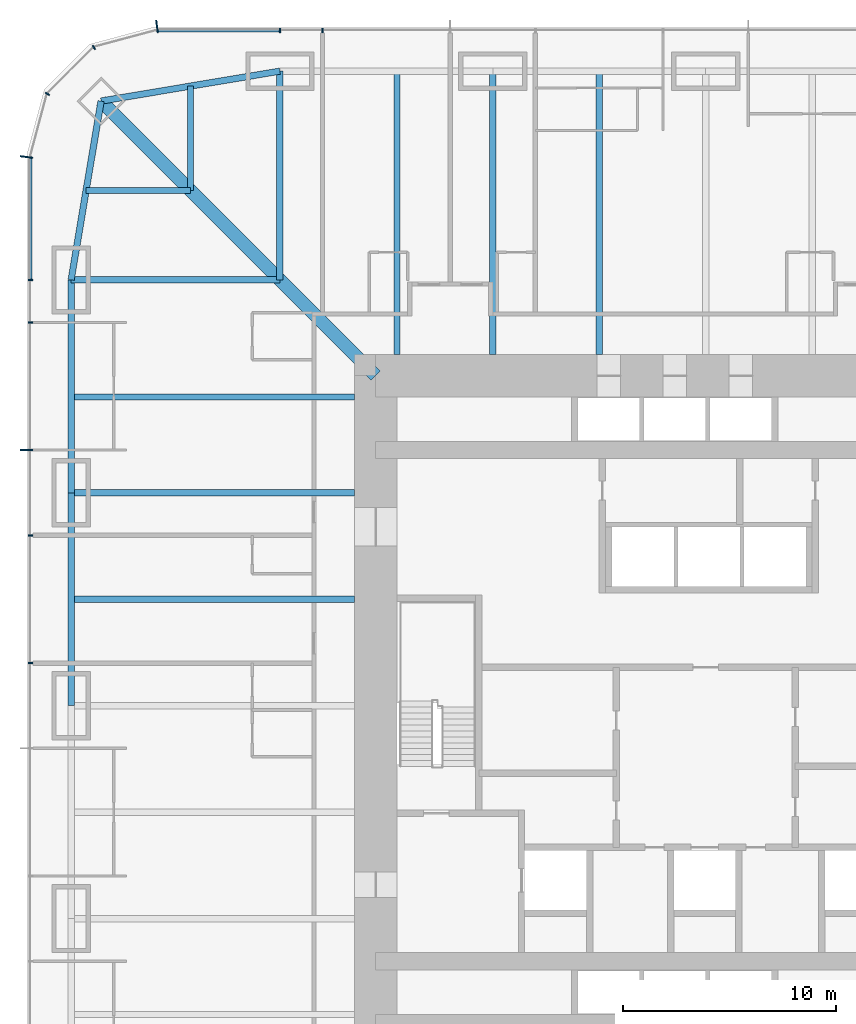
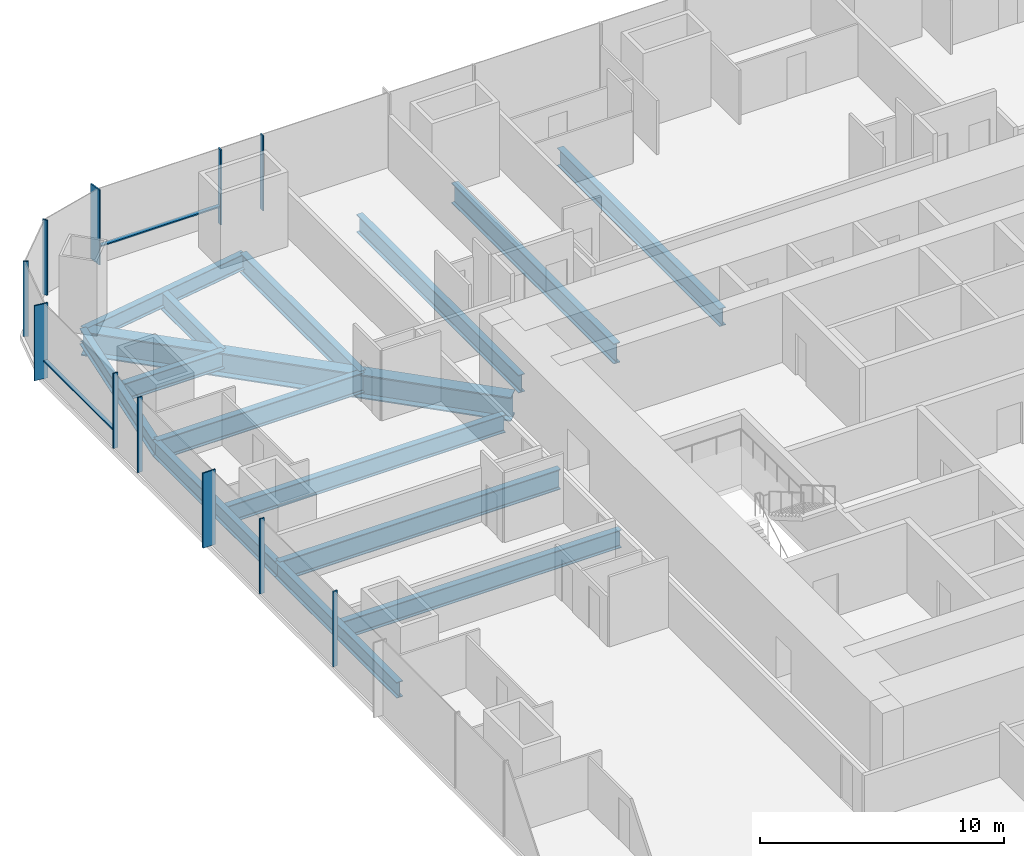
# One storey, part 6 of 17: 15 beams, 13 members, 3 elements without a shape of their own.
"""IFC4 building model written with IfcOpenShell, lengths in metres."""

import ifcopenshell
import ifcopenshell.guid

model = None  # the IFC model being written
_history = None  # IfcOwnerHistory: only IFC2X3 demands one
_inside = {}  # id of a spatial element -> (the spatial element, [elements in it])
_under = {}  # id of a project, library or spatial element -> (it, [spatial elements below it])
_declared = {}  # id of a project -> (the project, [libraries it declares])
_typed = {}  # id of a type object -> (the type object, [elements of that type])
_made_of = {}  # id of a material, layer set ... -> (it, [elements and type objects made of it])


def new_model(schema):
    """Start an empty IFC model of exactly this schema.

    Asked for "IFC4X3", IfcOpenShell would pick the latest addendum, in which some entities
    have other attributes; the version numbers below select the first issue.
    IFC2X3 requires an IfcOwnerHistory on every rooted entity: one is made here for all.
    """
    global model, _history
    if schema == "IFC4X3":
        model = ifcopenshell.file(schema_version=(4, 3, 0, 0))
    else:
        model = ifcopenshell.file(schema=schema)
    _inside.clear()
    _under.clear()
    _declared.clear()
    _typed.clear()
    _made_of.clear()
    _history = None
    if model.schema == "IFC2X3":
        org = make("IfcOrganization", Name="unknown")
        user = make(
            "IfcPersonAndOrganization",
            ThePerson=make("IfcPerson", FamilyName="unknown"),
            TheOrganization=org,
        )
        app = make(
            "IfcApplication",
            ApplicationDeveloper=org,
            Version="unknown",
            ApplicationFullName="unknown",
            ApplicationIdentifier="unknown",
        )
        _history = make(
            "IfcOwnerHistory",
            OwningUser=user,
            OwningApplication=app,
            ChangeAction="ADDED",
            CreationDate=0,
        )
    return model


def make(cls, **values):
    """One entity of the class cls with the attributes given. An attribute that is None is left unset."""
    return model.create_entity(
        cls, **{name: value for name, value in values.items() if value is not None}
    )


def rooted(cls, **values):
    """An entity with a GlobalId (a new one), such as an element, a storey or a relation."""
    return make(cls, GlobalId=ifcopenshell.guid.new(), OwnerHistory=_history, **values)


def si_unit(unit_type, name, prefix=None):
    """IfcSIUnit, for example si_unit("LENGTHUNIT", "METRE", prefix="MILLI")."""
    return make("IfcSIUnit", UnitType=unit_type, Prefix=prefix, Name=name)


def assignment(units):
    """IfcUnitAssignment: the units of a project."""
    return None if units is None else make("IfcUnitAssignment", Units=units)


def point(xyz):
    """IfcCartesianPoint."""
    return None if xyz is None else make("IfcCartesianPoint", Coordinates=xyz)


def direction(xyz):
    """IfcDirection."""
    return None if xyz is None else make("IfcDirection", DirectionRatios=xyz)


def frame(location, z_axis=None, x_axis=None):
    """IfcAxis2Placement3D, a coordinate frame: its origin and axes. An axis left out is left unset."""
    return make(
        "IfcAxis2Placement3D",
        Location=point(location),
        Axis=direction(z_axis),
        RefDirection=direction(x_axis),
    )


def frame_2d(location, x_axis=None):
    """IfcAxis2Placement2D, a coordinate frame in the plane: its origin and x axis."""
    return make(
        "IfcAxis2Placement2D", Location=point(location), RefDirection=direction(x_axis)
    )


def origin():
    """The frame at (0, 0, 0) with its axes left unset."""
    return frame((0.0, 0.0, 0.0))


def origin_2d():
    """The frame at (0, 0) in the plane with its x axis left unset."""
    return frame_2d((0.0, 0.0))


def place(relative_to, where):
    """IfcLocalPlacement: puts the frame where relative to a parent placement (None: the world)."""
    return make(
        "IfcLocalPlacement", PlacementRelTo=relative_to, RelativePlacement=where
    )


def context(
    kind, dimensions, precision=None, world=None, true_north=None, identifier=None
):
    """IfcGeometricRepresentationContext, for example the 3D "Model" context."""
    return make(
        "IfcGeometricRepresentationContext",
        ContextIdentifier=identifier,
        ContextType=kind,
        CoordinateSpaceDimension=dimensions,
        Precision=precision,
        WorldCoordinateSystem=world,
        TrueNorth=true_north,
    )


def subcontext(parent, identifier, kind, view, scale=None):
    """IfcGeometricRepresentationSubContext, for example "Body" below "Model"."""
    return make(
        "IfcGeometricRepresentationSubContext",
        ContextIdentifier=identifier,
        ContextType=kind,
        ParentContext=parent,
        TargetScale=scale,
        TargetView=view,
    )


def project(units=None, contexts=None):
    """IfcProject with its units and contexts."""
    return rooted(
        "IfcProject",
        Name="project",
        RepresentationContexts=contexts,
        UnitsInContext=assignment(units),
    )


def spatial(cls, under=None, at=None, **own):
    """A site, building, storey or space (cls), placed at a placement, below another one or the project."""
    s = rooted(cls, ObjectPlacement=at, **own)
    if under is not None:
        _under.setdefault(under.id(), (under, []))[1].append(s)
    return s


def profile(cls, at=None, kind="AREA", **sizes):
    """A parametric profile (cls). Its sizes go by their IFC names, for example OverallWidth=200.0."""
    return make(cls, ProfileType=kind, Position=at, **sizes)


def rectangle(**sizes):
    """IfcRectangleProfileDef."""
    return profile("IfcRectangleProfileDef", **sizes)


def i_section(**sizes):
    """IfcIShapeProfileDef."""
    return profile("IfcIShapeProfileDef", **sizes)


def extrude(swept, where, along, depth):
    """IfcExtrudedAreaSolid: the profile swept, set in the frame where, extruded along a direction by depth."""
    return make(
        "IfcExtrudedAreaSolid",
        SweptArea=swept,
        Position=where,
        ExtrudedDirection=direction(along),
        Depth=depth,
    )


def shape(context_of_items, identifier, shape_type, items):
    """IfcShapeRepresentation: the items that make up one representation, for example the "Body"."""
    return make(
        "IfcShapeRepresentation",
        ContextOfItems=context_of_items,
        RepresentationIdentifier=identifier,
        RepresentationType=shape_type,
        Items=items,
    )


def material(Name=None, Category=None):
    """IfcMaterial."""
    return make("IfcMaterial", Name=Name, Category=Category)


def material_profile(
    of_material, cross_section, Name=None, Category=None, Priority=None
):
    """IfcMaterialProfile: a cross section and its material."""
    return make(
        "IfcMaterialProfile",
        Name=Name,
        Material=of_material,
        Profile=cross_section,
        Priority=Priority,
        Category=Category,
    )


def profile_set(profiles, Name=None, composite=None):
    """IfcMaterialProfileSet."""
    return make(
        "IfcMaterialProfileSet",
        Name=Name,
        MaterialProfiles=profiles,
        CompositeProfile=composite,
    )


def made_of(thing, what):
    """Note that an element or type object is made of a material, layer set ...; save() writes the relation."""
    if what is not None:
        _made_of.setdefault(what.id(), (what, []))[1].append(thing)
    return thing


def type_object(cls, material=None, **own):
    """A type object (cls), such as IfcWallType, which elements share."""
    return made_of(rooted(cls, **own), material)


def element(
    cls,
    number,
    at=None,
    inside=None,
    cuts=None,
    type_object=None,
    material=None,
    context=None,
    identifier="Body",
    shape_type=None,
    held_by="IfcProductDefinitionShape",
    body=None,
    shapes=None,
    **own,
):
    """One element of the class cls, such as IfcWall. Its Tag is "e" and its number.

    at: its placement. inside: the storey or other place that contains it. cuts: it is an
    opening in that element (IfcRelVoidsElement). A single representation is given by context,
    identifier, shape_type and body (its items); several are given by shapes. held_by: the class
    of the entity that holds the representations. save() writes the other relations.
    """
    e = rooted(cls, Tag="e%d" % number, ObjectPlacement=at, **own)
    if body is not None:
        shapes = [shape(context, identifier, shape_type, body)]
    if shapes is not None:
        e.Representation = make(held_by, Representations=shapes)
    if inside is not None:
        _inside.setdefault(inside.id(), (inside, []))[1].append(e)
    if cuts is not None:
        rooted(
            "IfcRelVoidsElement", RelatingBuildingElement=cuts, RelatedOpeningElement=e
        )
    if type_object is not None:
        _typed.setdefault(type_object.id(), (type_object, []))[1].append(e)
    return made_of(e, material)


def aggregate(whole, parts):
    """IfcRelAggregates: a whole, such as a stair, and the parts it consists of."""
    return rooted("IfcRelAggregates", RelatingObject=whole, RelatedObjects=parts)


def save(model, path):
    """Write the relations noted so far, then the file.

    IfcRelAggregates (storeys below a building ...), IfcRelContainedInSpatialStructure (elements
    in a storey), IfcRelDefinesByType, IfcRelAssociatesMaterial and IfcRelDeclares: one each for
    every whole, place, type object, material and project.
    """
    for whole, parts in _under.values():
        aggregate(whole, parts)
    for where, things in _inside.values():
        rooted(
            "IfcRelContainedInSpatialStructure",
            RelatedElements=things,
            RelatingStructure=where,
        )
    for kind, things in _typed.values():
        rooted("IfcRelDefinesByType", RelatedObjects=things, RelatingType=kind)
    for what, things in _made_of.values():
        rooted("IfcRelAssociatesMaterial", RelatedObjects=things, RelatingMaterial=what)
    for by, libraries in _declared.values():
        rooted("IfcRelDeclares", RelatingContext=by, RelatedDefinitions=libraries)
    model.write(path)


model = new_model("IFC4")

# Units and contexts
model_context = context("Model", 3, precision=1e-05, world=origin(), true_north=direction((0.0, 1.0)))
body_context = subcontext(model_context, "Body", "Model", "MODEL_VIEW")
ifc_project = project(units=[si_unit("LENGTHUNIT", "METRE"), si_unit("AREAUNIT", "SQUARE_METRE"), si_unit("VOLUMEUNIT", "CUBIC_METRE"), si_unit("PLANEANGLEUNIT", "RADIAN"), si_unit("MASSUNIT", "GRAM", prefix="KILO")], contexts=[model_context])

# Site, building, storey
site_placement = place(None, origin())
site = spatial("IfcSite", under=ifc_project, at=site_placement, CompositionType="ELEMENT")
building_placement = place(site_placement, origin())
building = spatial("IfcBuilding", under=site, at=building_placement, Name="Khuree Lantern Residences", CompositionType="ELEMENT")
storey_placement = place(building_placement, frame((0.0, 0.0, 36.0)))
storey = spatial("IfcBuildingStorey", under=building, at=storey_placement, Name="L08", CompositionType="ELEMENT", Elevation=36.0)

# Beams
ifc_material_1 = material(Name="Steel S355", Category="steel")
ifc_material_profile_1 = material_profile(ifc_material_1, i_section(OverallWidth=0.300048828125, OverallDepth=0.889892578125, WebThickness=0.01611328125, FlangeThickness=0.030029296875, FilletRadius=0.030029296875, at=origin_2d()), Name="HE 900 A")
ifc_profile_set_1 = profile_set([ifc_material_profile_1], Name="Steel S355")
beam_type_1 = type_object("IfcBeamType", Name="B-12 SECONDARY BEAM HE 900 A", PredefinedType="BEAM", material=ifc_profile_set_1)
for number, where, z_axis, x_axis, name in (
    (1, (-14.5, 29.800048828125, -0.695068359375), (0.0, -1.0, 0.0), (1.0, 0.0, 0.0), "Secondary beam N1"),
    (2, (-5.0, 29.800048828125, -0.695068359375), (0.0, -1.0, 0.0), (1.0, 0.0, 0.0), "Secondary beam N2"),
    (3, (-29.800048828125, 5.0, -0.695068359375), (1.0, 0.0, 0.0), (0.0, 1.0, 0.0), "Secondary beam W4"),
    (4, (-29.800048828125, 14.5, -0.695068359375), (1.0, 0.0, 0.0), (0.0, 1.0, 0.0), "Secondary beam W5"),
):
    element("IfcBeam", number, at=place(storey_placement, frame(where, z_axis=z_axis, x_axis=x_axis)), inside=storey, type_object=beam_type_1, Name=name, PredefinedType="BEAM", context=body_context, shape_type="SweptSolid", body=[
        extrude(i_section(OverallWidth=0.300048828125, OverallDepth=0.889892578125, WebThickness=0.01611328125, FlangeThickness=0.030029296875, FilletRadius=0.030029296875, at=origin_2d()), origin(), (0.0, 0.0, 1.0), 13.300048828125),
    ])
for number, where, z_axis, x_axis, name in (
    (5, (-29.09716796875, 24.197021484375, -0.695068359375), (1.0, 0.0, 0.0), (0.0, 1.0, 0.0), "Secondary beam W6"),
    (6, (-24.197021484375, 29.09716796875, -0.695068359375), (0.0, -1.0, 0.0), (1.0, 0.0, 0.0), "Secondary beam N6"),
):
    element("IfcBeam", number, at=place(storey_placement, frame(where, z_axis=z_axis, x_axis=x_axis)), inside=storey, type_object=beam_type_1, Name=name, PredefinedType="BEAM", context=body_context, shape_type="SweptSolid", body=[
        extrude(i_section(OverallWidth=0.300048828125, OverallDepth=0.889892578125, WebThickness=0.01611328125, FlangeThickness=0.030029296875, FilletRadius=0.030029296875, at=origin_2d()), origin(), (0.0, 0.0, 1.0), 4.900146484375),
    ])
ifc_material_profile_2 = material_profile(ifc_material_1, i_section(OverallWidth=0.300048828125, OverallDepth=0.7900390625, WebThickness=0.014892578125, FlangeThickness=0.028076171875, FilletRadius=0.030029296875, at=origin_2d()), Name="HE 800 A")
ifc_profile_set_2 = profile_set([ifc_material_profile_2], Name="Steel S355")
beam_type_2 = type_object("IfcBeamType", Name="E-12 SPANDREL BEAM HE 800 A", PredefinedType="SPANDREL", material=ifc_profile_set_2)
for number, where, z_axis, x_axis, name in (
    (7, (-29.800048828125, 0.0, -0.64501953125), (0.0, 1.0, 0.0), (-1.0, 0.0, 0.0), "Spandrel beam W4"),
    (8, (-29.800048828125, 10.0, -0.64501953125), (0.0, 1.0, 0.0), (-1.0, 0.0, 0.0), "Spandrel beam W5"),
):
    element("IfcBeam", number, at=place(storey_placement, frame(where, z_axis=z_axis, x_axis=x_axis)), inside=storey, type_object=beam_type_2, Name=name, PredefinedType="SPANDREL", context=body_context, shape_type="SweptSolid", body=[
        extrude(i_section(OverallWidth=0.300048828125, OverallDepth=0.7900390625, WebThickness=0.014892578125, FlangeThickness=0.028076171875, FilletRadius=0.030029296875, at=origin_2d()), origin(), (0.0, 0.0, 1.0), 10.0),
    ])
for number, where, z_axis, x_axis, name in (
    (9, (-29.800048828125, 20.0, -0.64501953125), (0.165199022349, 0.986260251158, 0.0), (-0.986260251158, 0.165199022349, 0.0), "Spandrel beam W6"),
    (10, (-28.39404296875, 28.39404296875, -0.64501953125), (0.986260251158, 0.165199022349, 0.0), (-0.165199022349, 0.986260251158, 0.0), "Spandrel beam N6"),
):
    element("IfcBeam", number, at=place(storey_placement, frame(where, z_axis=z_axis, x_axis=x_axis)), inside=storey, type_object=beam_type_2, Name=name, PredefinedType="SPANDREL", context=body_context, shape_type="SweptSolid", body=[
        extrude(i_section(OverallWidth=0.300048828125, OverallDepth=0.7900390625, WebThickness=0.014892578125, FlangeThickness=0.028076171875, FilletRadius=0.030029296875, at=origin_2d()), origin(), (0.0, 0.0, 1.0), 8.510986328125),
    ])

# Curtain wall, member
ifc_material_2 = material(Name="Bronze anodised aluminium", Category="aluminium")
curtain_wall_type_1 = type_object("IfcCurtainWallType", Name="CW-T2 TOWER CORNER CURTAIN WALL", PredefinedType="USERDEFINED", material=ifc_material_2)
curtain_wall_1_placement = place(storey_placement, origin())
curtain_wall_1 = element("IfcCurtainWall", 11, at=curtain_wall_1_placement, inside=storey, type_object=curtain_wall_type_1, Name="L08 NORTH-WEST CORNER CURTAIN WALL", ObjectType="Faceted corner curtain wall", PredefinedType="USERDEFINED")
ifc_material_profile_3 = material_profile(ifc_material_2, rectangle(XDim=0.06494140625, YDim=0.60009765625, at=origin_2d()), Name="F1 65X600")
ifc_profile_set_3 = profile_set([ifc_material_profile_3], Name="Bronze anodised aluminium")
member_type_1 = type_object("IfcMemberType", Name="F1 BRONZE FIN MULLION TOWER 65X600", PredefinedType="MULLION", material=ifc_profile_set_3)
member_1_placement = place(storey_placement, frame((-25.769775390625, 31.900146484375, 0.0), z_axis=(0.0, 0.0, 1.0), x_axis=(-0.991444852794, -0.130526257387, 0.0)))
member_1 = element("IfcMember", 12, at=member_1_placement, type_object=member_type_1, Name="L08 NORTH-WEST CORNER FIN MULLION 29", PredefinedType="MULLION", context=body_context, shape_type="SweptSolid", body=[
    extrude(rectangle(XDim=0.06494140625, YDim=0.60009765625, at=origin_2d()), origin(), (0.0, 0.0, 1.0), 3.75),
])

# Curtain wall, members
curtain_wall_type_2 = type_object("IfcCurtainWallType", Name="CW-T1 TOWER FACE CURTAIN WALL", PredefinedType="USERDEFINED", material=ifc_material_2)
curtain_wall_2_placement = place(storey_placement, origin())
curtain_wall_2 = element("IfcCurtainWall", 13, at=curtain_wall_2_placement, inside=storey, type_object=curtain_wall_type_2, Name="L08 WEST FACE CURTAIN WALL", ObjectType="Stick-built curtain wall", PredefinedType="USERDEFINED")
member_2_placement = place(storey_placement, frame((-31.900146484375, 25.769775390625, 0.0), z_axis=(0.0, 0.0, 1.0), x_axis=(-0.130526257387, -0.991444852794, 0.0)))
member_2 = element("IfcMember", 14, at=member_2_placement, type_object=member_type_1, Name="L08 WEST FACE FIN MULLION 32", PredefinedType="MULLION", context=body_context, shape_type="SweptSolid", body=[
    extrude(rectangle(XDim=0.06494140625, YDim=0.60009765625, at=origin_2d()), origin(), (0.0, 0.0, 1.0), 3.75),
])
member_3_placement = place(storey_placement, frame((-31.89990234375, 12.0, 0.0), z_axis=(0.0, 0.0, 1.0), x_axis=(0.0, -1.0, 0.0)))
member_3 = element("IfcMember", 15, at=member_3_placement, type_object=member_type_1, Name="L08 WEST FACE FIN MULLION 35", PredefinedType="MULLION", context=body_context, shape_type="SweptSolid", body=[
    extrude(rectangle(XDim=0.06494140625, YDim=0.60009765625, at=origin_2d()), origin(), (0.0, 0.0, 1.0), 3.75),
])

# Beams
ifc_material_profile_4 = material_profile(ifc_material_1, i_section(OverallWidth=0.302001953125, OverallDepth=1.008056640625, WebThickness=0.02099609375, FlangeThickness=0.0400390625, FilletRadius=0.030029296875, at=origin_2d()), Name="HE 1000 M")
ifc_profile_set_4 = profile_set([ifc_material_profile_4], Name="Steel S355")
beam_type_3 = type_object("IfcBeamType", Name="G-12 GIRDER HE 1000 M", PredefinedType="BEAM", material=ifc_profile_set_4)
beam_1_placement = place(storey_placement, frame((-20.0, 29.800048828125, -0.75390625), z_axis=(0.0, -1.0, 0.0), x_axis=(1.0, 0.0, 0.0)))
element("IfcBeam", 16, at=beam_1_placement, inside=storey, type_object=beam_type_3, Name="Girder N1", PredefinedType="BEAM", context=body_context, shape_type="SweptSolid", body=[
    extrude(i_section(OverallWidth=0.302001953125, OverallDepth=1.008056640625, WebThickness=0.02099609375, FlangeThickness=0.0400390625, FilletRadius=0.030029296875, at=origin_2d()), origin(), (0.0, 0.0, 1.0), 9.800048828125),
])
for number, where, z_axis, x_axis, name in (
    (17, (-10.0, 29.800048828125, -0.75390625), (0.0, -1.0, 0.0), (1.0, 0.0, 0.0), "Girder N2"),
    (18, (-29.800048828125, 10.0, -0.75390625), (1.0, 0.0, 0.0), (0.0, 1.0, 0.0), "Girder W4"),
):
    element("IfcBeam", number, at=place(storey_placement, frame(where, z_axis=z_axis, x_axis=x_axis)), inside=storey, type_object=beam_type_3, Name=name, PredefinedType="BEAM", context=body_context, shape_type="SweptSolid", body=[
        extrude(i_section(OverallWidth=0.302001953125, OverallDepth=1.008056640625, WebThickness=0.02099609375, FlangeThickness=0.0400390625, FilletRadius=0.030029296875, at=origin_2d()), origin(), (0.0, 0.0, 1.0), 13.300048828125),
    ])
beam_2_placement = place(storey_placement, frame((-29.800048828125, 20.0, -0.75390625), z_axis=(1.0, 0.0, 0.0), x_axis=(0.0, 1.0, 0.0)))
element("IfcBeam", 19, at=beam_2_placement, inside=storey, type_object=beam_type_3, Name="Girder W5", PredefinedType="BEAM", context=body_context, shape_type="SweptSolid", body=[
    extrude(i_section(OverallWidth=0.302001953125, OverallDepth=1.008056640625, WebThickness=0.02099609375, FlangeThickness=0.0400390625, FilletRadius=0.030029296875, at=origin_2d()), origin(), (0.0, 0.0, 1.0), 9.800048828125),
])
ifc_material_profile_5 = material_profile(ifc_material_1, i_section(OverallWidth=0.60009765625, OverallDepth=1.199951171875, WebThickness=0.030029296875, FlangeThickness=0.06005859375, at=origin_2d()), Name="WELDED I 1200X600X30X60")
ifc_profile_set_5 = profile_set([ifc_material_profile_5], Name="Steel S355")
beam_type_4 = type_object("IfcBeamType", Name="GD-12 CORNER GIRDER WELDED I 1200X600X30X60", PredefinedType="BEAM", material=ifc_profile_set_5)
beam_3_placement = place(storey_placement, frame((-28.39404296875, 28.39404296875, -0.85009765625), z_axis=(0.707106781187, -0.707106781187, 0.0), x_axis=(0.707106781187, 0.707106781187, 0.0)))
element("IfcBeam", 20, at=beam_3_placement, inside=storey, type_object=beam_type_4, Name="Corner girder NW", PredefinedType="BEAM", context=body_context, shape_type="SweptSolid", body=[
    extrude(i_section(OverallWidth=0.60009765625, OverallDepth=1.199951171875, WebThickness=0.030029296875, FlangeThickness=0.06005859375, at=origin_2d()), origin(), (0.0, 0.0, 1.0), 18.23486328125),
])

# Curtain wall, members
curtain_wall_3_placement = place(storey_placement, origin())
curtain_wall_3 = element("IfcCurtainWall", 21, at=curtain_wall_3_placement, inside=storey, type_object=curtain_wall_type_2, Name="L08 NORTH FACE CURTAIN WALL", ObjectType="Stick-built curtain wall", PredefinedType="USERDEFINED")
ifc_material_profile_6 = material_profile(ifc_material_2, rectangle(XDim=0.06494140625, YDim=0.219970703125, at=origin_2d()), Name="M1 65X220")
ifc_profile_set_6 = profile_set([ifc_material_profile_6], Name="Bronze anodised aluminium")
member_type_2 = type_object("IfcMemberType", Name="M1 BRONZE MULLION TOWER 65X220", PredefinedType="MULLION", material=ifc_profile_set_6)
member_4_placement = place(storey_placement, frame((-18.0, 31.7099609375, 0.0), z_axis=(0.0, 0.0, 1.0), x_axis=(-1.0, 0.0, 0.0)))
member_4 = element("IfcMember", 22, at=member_4_placement, type_object=member_type_2, Name="L08 NORTH FACE MULLION 27", PredefinedType="MULLION", context=body_context, shape_type="SweptSolid", body=[
    extrude(rectangle(XDim=0.06494140625, YDim=0.219970703125, at=origin_2d()), origin(), (0.0, 0.0, 1.0), 3.75),
])
member_5_placement = place(storey_placement, frame((-20.0, 31.7099609375, 0.0), z_axis=(0.0, 0.0, 1.0), x_axis=(-1.0, 0.0, 0.0)))
member_5 = element("IfcMember", 23, at=member_5_placement, type_object=member_type_2, Name="L08 NORTH FACE MULLION 28", PredefinedType="MULLION", context=body_context, shape_type="SweptSolid", body=[
    extrude(rectangle(XDim=0.06494140625, YDim=0.219970703125, at=origin_2d()), origin(), (0.0, 0.0, 1.0), 3.75),
])

# Member
member_6_placement = place(storey_placement, frame((-28.72998046875, 30.91162109375, 0.0), z_axis=(0.0, 0.0, 1.0), x_axis=(-0.86602537092, -0.500000056923, 0.0)))
member_6 = element("IfcMember", 24, at=member_6_placement, type_object=member_type_2, Name="L08 NORTH-WEST CORNER MULLION 30", PredefinedType="MULLION", context=body_context, shape_type="SweptSolid", body=[
    extrude(rectangle(XDim=0.06494140625, YDim=0.219970703125, at=origin_2d()), origin(), (0.0, 0.0, 1.0), 3.75),
])

member_7_placement = place(storey_placement, frame((-30.91162109375, 28.72998046875, 0.0), z_axis=(0.0, 0.0, 1.0), x_axis=(-0.500000056923, -0.86602537092, 0.0)))
member_7 = element("IfcMember", 25, at=member_7_placement, type_object=member_type_2, Name="L08 NORTH-WEST CORNER MULLION 31", PredefinedType="MULLION", context=body_context, shape_type="SweptSolid", body=[
    extrude(rectangle(XDim=0.06494140625, YDim=0.219970703125, at=origin_2d()), origin(), (0.0, 0.0, 1.0), 3.75),
])

aggregate(curtain_wall_1, [member_1, member_6, member_7])

member_8_placement = place(storey_placement, frame((-31.7099609375, 20.0, 0.0), z_axis=(0.0, 0.0, 1.0), x_axis=(0.0, -1.0, 0.0)))
member_8 = element("IfcMember", 26, at=member_8_placement, type_object=member_type_2, Name="L08 WEST FACE MULLION 33", PredefinedType="MULLION", context=body_context, shape_type="SweptSolid", body=[
    extrude(rectangle(XDim=0.06494140625, YDim=0.219970703125, at=origin_2d()), origin(), (0.0, 0.0, 1.0), 3.75),
])

member_9_placement = place(storey_placement, frame((-31.7099609375, 18.0, 0.0), z_axis=(0.0, 0.0, 1.0), x_axis=(0.0, -1.0, 0.0)))
member_9 = element("IfcMember", 27, at=member_9_placement, type_object=member_type_2, Name="L08 WEST FACE MULLION 34", PredefinedType="MULLION", context=body_context, shape_type="SweptSolid", body=[
    extrude(rectangle(XDim=0.06494140625, YDim=0.219970703125, at=origin_2d()), origin(), (0.0, 0.0, 1.0), 3.75),
])

member_10_placement = place(storey_placement, frame((-31.7099609375, 8.0, 0.0), z_axis=(0.0, 0.0, 1.0), x_axis=(0.0, -1.0, 0.0)))
member_10 = element("IfcMember", 28, at=member_10_placement, type_object=member_type_2, Name="L08 WEST FACE MULLION 36", PredefinedType="MULLION", context=body_context, shape_type="SweptSolid", body=[
    extrude(rectangle(XDim=0.06494140625, YDim=0.219970703125, at=origin_2d()), origin(), (0.0, 0.0, 1.0), 3.75),
])

member_11_placement = place(storey_placement, frame((-31.7099609375, 2.0, 0.0), z_axis=(0.0, 0.0, 1.0), x_axis=(0.0, -1.0, 0.0)))
member_11 = element("IfcMember", 29, at=member_11_placement, type_object=member_type_2, Name="L08 WEST FACE MULLION 37", PredefinedType="MULLION", context=body_context, shape_type="SweptSolid", body=[
    extrude(rectangle(XDim=0.06494140625, YDim=0.219970703125, at=origin_2d()), origin(), (0.0, 0.0, 1.0), 3.75),
])

ifc_material_profile_7 = material_profile(ifc_material_2, rectangle(XDim=0.179931640625, YDim=0.06494140625, at=origin_2d()), Name="T1 180X65")
ifc_profile_set_7 = profile_set([ifc_material_profile_7], Name="Bronze anodised aluminium")
member_type_3 = type_object("IfcMemberType", Name="TRANSOM T1 TOWER 180X65", PredefinedType="USERDEFINED", material=ifc_profile_set_7)
member_12_placement = place(storey_placement, frame((-20.032470703125, 31.719970703125, 0.89990234375), z_axis=(-1.0, 0.0, 0.0), x_axis=(0.0, -1.0, 0.0)))
member_12 = element("IfcMember", 30, at=member_12_placement, type_object=member_type_3, Name="L08 NORTH FACE TRANSOM 28.1", ObjectType="Transom", PredefinedType="USERDEFINED", context=body_context, shape_type="SweptSolid", body=[
    extrude(rectangle(XDim=0.179931640625, YDim=0.06494140625, at=origin_2d()), origin(), (0.0, 0.0, 1.0), 5.6689453125),
])

aggregate(curtain_wall_3, [member_4, member_5, member_12])

member_13_placement = place(storey_placement, frame((-31.719970703125, 25.701416015625, 0.89990234375), z_axis=(0.0, -1.0, 0.0), x_axis=(1.0, 0.0, 0.0)))
member_13 = element("IfcMember", 31, at=member_13_placement, type_object=member_type_3, Name="L08 WEST FACE TRANSOM 32.1", ObjectType="Transom", PredefinedType="USERDEFINED", context=body_context, shape_type="SweptSolid", body=[
    extrude(rectangle(XDim=0.179931640625, YDim=0.06494140625, at=origin_2d()), origin(), (0.0, 0.0, 1.0), 5.6689453125),
])

aggregate(curtain_wall_2, [member_2, member_8, member_9, member_3, member_10, member_11, member_13])

save(model, "model.ifc")
